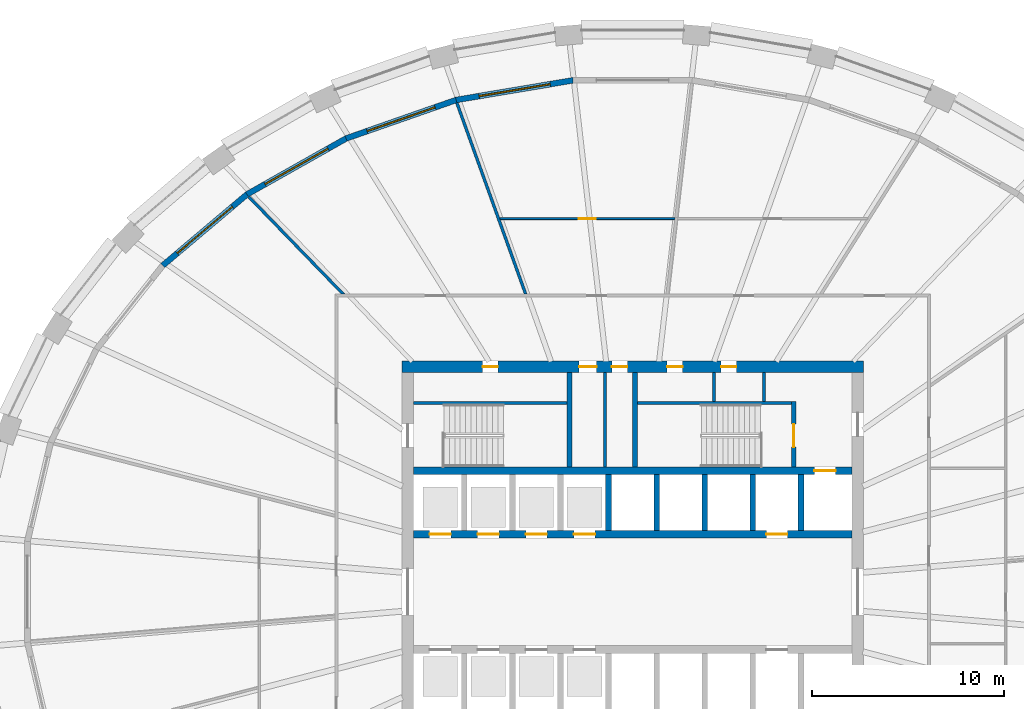
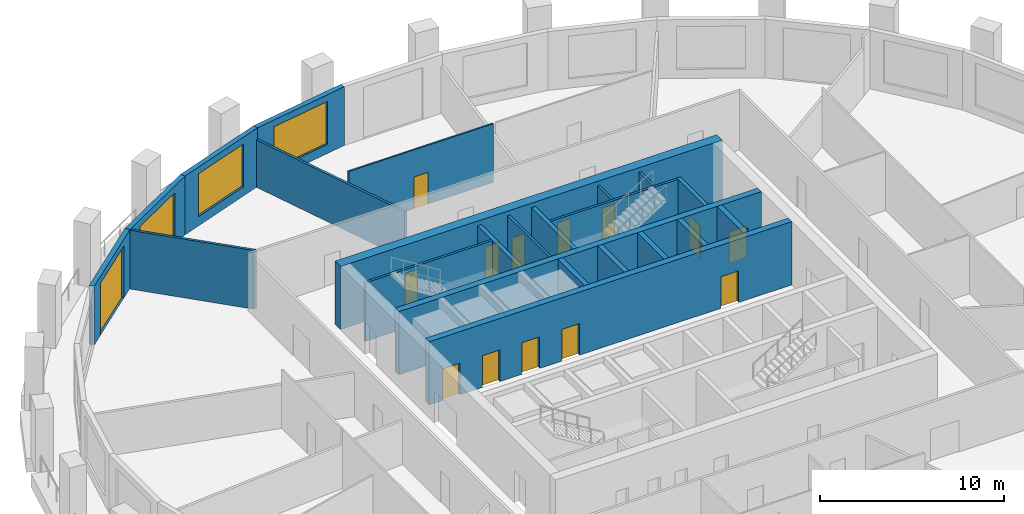
# One storey, part 6 of 11: 23 walls, 14 doors, 3 windows, 17 openings.
"""IFC4 building model written with IfcOpenShell, lengths in metres."""

from ifc_helpers import new_model, si_unit, direction, frame, frame_2d, origin, place, context, subcontext, project, spatial, polyline, rectangle, outline, extrude, material, layer, layer_set, type_object, element, fill, save


model = new_model("IFC4")

# Units and contexts
model_context = context("Model", 3, precision=1e-05, world=origin(), true_north=direction((0.0, 1.0)))
body_context = subcontext(model_context, "Body", "Model", "MODEL_VIEW")
ifc_project = project(units=[si_unit("LENGTHUNIT", "METRE"), si_unit("AREAUNIT", "SQUARE_METRE"), si_unit("VOLUMEUNIT", "CUBIC_METRE"), si_unit("PLANEANGLEUNIT", "RADIAN"), si_unit("MASSUNIT", "GRAM", prefix="KILO")], contexts=[model_context])

# Site, building, storey
site_placement = place(None, origin())
site = spatial("IfcSite", under=ifc_project, at=site_placement, CompositionType="ELEMENT")
building_placement = place(site_placement, origin())
building = spatial("IfcBuilding", under=site, at=building_placement, Name="Halqa Exchange Tower", CompositionType="ELEMENT")
storey_placement = place(building_placement, frame((0.0, 0.0, 150.699951171875)))
storey = spatial("IfcBuildingStorey", under=building, at=storey_placement, Name="L34", CompositionType="ELEMENT", Elevation=150.699951171875)

# Walls
ifc_material_1 = material(Name="Fire-rated gypsum board")
ifc_layer_1 = layer(ifc_material_1, 0.14990234375)
ifc_layer_set_1 = layer_set([ifc_layer_1], Name="Fire-rated gypsum board")
wall_type_1 = type_object("IfcWallType", Name="Fire partition EI 60 150", PredefinedType="PARTITIONING", material=ifc_layer_set_1)
wall_1_placement = place(storey_placement, frame((-14.9921875, 15.423095703125, 0.0), z_axis=(0.0, 0.0, 1.0), x_axis=(-0.696328171708, 0.717723538199, 0.0)))
element("IfcWall", 1, at=wall_1_placement, inside=storey, type_object=wall_type_1, Name="L34-PWL-010", PredefinedType="PARTITIONING", context=body_context, shape_type="SweptSolid", body=[
    extrude(outline(polyline([(7.10888671875, 0.074951171875), (5.367919921875, 0.074951171875), (3.626953125, 0.074951171875), (1.885986328125, 0.074951171875), (0.14501953125, 0.074951171875), (0.0, -0.074462890625), (0.0, -0.074951171875), (1.77734375, -0.074951171875), (3.554443359375, -0.074951171875), (5.33154296875, -0.074951171875), (7.10888671875, -0.074951171875), (7.10888671875, 0.074951171875)])), origin(), (0.0, 0.0, 1.0), 3.900146484375),
])
wall_2_placement = place(storey_placement, frame((-9.136962890625, 25.423583984375, 0.0), z_axis=(0.0, 0.0, 1.0), x_axis=(0.338602834386, -0.940929391902, 0.0)))
element("IfcWall", 2, at=wall_2_placement, inside=storey, type_object=wall_type_1, Name="L34-PWL-013", PredefinedType="PARTITIONING", context=body_context, shape_type="SweptSolid", body=[
    extrude(outline(polyline([(0.0, -0.074951171875), (1.7578125, -0.074951171875), (3.515380859375, -0.074951171875), (5.273193359375, -0.074951171875), (7.03076171875, -0.074951171875), (8.78857421875, -0.074951171875), (10.546142578125, -0.074951171875), (10.599853515625, 0.07421875), (10.599853515625, 0.074951171875), (9.227294921875, 0.074951171875), (7.8544921875, 0.074951171875), (6.48193359375, 0.074951171875), (6.4814453125, 0.07421875), (6.4794921875, 0.074951171875), (4.86279296875, 0.074951171875), (3.246337890625, 0.074951171875), (1.6298828125, 0.074951171875), (0.01318359375, 0.074951171875), (0.00048828125, 0.003662109375), (0.0, -0.03857421875), (0.0, -0.074951171875)])), origin(), (0.0, 0.0, 1.0), 3.14697265625),
])

# Wall, opening, door
ifc_material_2 = material(Name="Gypsum board")
ifc_layer_2 = layer(ifc_material_2, 0.10009765625)
ifc_layer_set_2 = layer_set([ifc_layer_2], Name="Gypsum board")
wall_type_2 = type_object("IfcWallType", Name="Partition 100 gypsum", PredefinedType="PARTITIONING", material=ifc_layer_set_2)
wall_3_placement = place(storey_placement, frame((-6.907470703125, 19.39990234375, 0.0), z_axis=(0.0, 0.0, 1.0), x_axis=(1.0, 0.0, 0.0)))
wall_3 = element("IfcWall", 3, at=wall_3_placement, inside=storey, type_object=wall_type_2, Name="L34-PWL-014", PredefinedType="PARTITIONING", context=body_context, shape_type="SweptSolid", body=[
    extrude(outline(polyline([(0.035888671875, -0.050048828125), (1.847900390625, -0.050048828125), (3.659912109375, -0.050048828125), (5.471923828125, -0.050048828125), (7.283935546875, -0.050048828125), (9.095947265625, -0.050048828125), (9.107421875, 0.047119140625), (9.107421875, 0.050048828125), (7.285888671875, 0.050048828125), (5.46435546875, 0.050048828125), (3.64306640625, 0.050048828125), (1.821533203125, 0.050048828125), (0.0, 0.050048828125), (0.0, 0.04931640625), (0.035888671875, -0.050048828125)])), origin(), (0.0, 0.0, 1.0), 3.900146484375),
])
opening_1_placement = place(wall_3_placement, frame((4.1025390625, 0.0, 0.0)))
opening_1 = element("IfcOpeningElement", 4, at=opening_1_placement, cuts=wall_3, Name="Opening 10-19", PredefinedType="OPENING", context=body_context, shape_type="SweptSolid", body=[
    extrude(rectangle(XDim=0.89990234375, YDim=2.10009765625, at=frame_2d((0.449951171875, 1.050048828125))), frame((0.0, 0.06201171875, 0.0), z_axis=(0.0, -1.0, 0.0), x_axis=(1.0, 0.0, 0.0)), (0.0, 0.0, 1.0), 0.1240234375),
])
ifc_material_3 = material(Name="Timber door leaf", Category="wood")
door_type_1 = type_object("IfcDoorType", Name="Door 900 x 2100", OperationType="SINGLE_SWING_LEFT", PredefinedType="DOOR", material=ifc_material_3)
door_1_placement = place(opening_1_placement, frame((0.89990234375, 0.0, 0.0), z_axis=(0.0, 0.0, 1.0), x_axis=(-1.0, 0.0, 0.0)))
door_1 = element("IfcDoor", 5, at=door_1_placement, inside=storey, type_object=door_type_1, Name="L34-IDR-019", OperationType="SINGLE_SWING_RIGHT", OverallHeight=2.10009765625, OverallWidth=0.89990234375, PredefinedType="DOOR", context=body_context, shape_type="SweptSolid", body=[
    extrude(rectangle(XDim=0.89990234375, YDim=2.10009765625, at=frame_2d((0.449951171875, 1.050048828125))), frame((0.0, 0.02490234375, 0.0), z_axis=(0.0, -1.0, 0.0), x_axis=(1.0, 0.0, 0.0)), (0.0, 0.0, 1.0), 0.050048828125),
])
fill(opening_1, door_1)

# Walls
ifc_layer_3 = layer(ifc_material_2, 0.14990234375)
ifc_layer_set_3 = layer_set([ifc_layer_3], Name="Gypsum board")
wall_type_3 = type_object("IfcWallType", Name="Penthouse riser wall 150 gypsum", PredefinedType="PARTITIONING", material=ifc_layer_set_3)
wall_4_placement = place(storey_placement, frame((-1.425048828125, 6.5, 0.0), z_axis=(0.0, 0.0, 1.0), x_axis=(0.0, 1.0, 0.0)))
element("IfcWall", 6, at=wall_4_placement, inside=storey, type_object=wall_type_3, Name="Partition W1.425 N", PredefinedType="PARTITIONING", context=body_context, shape_type="SweptSolid", body=[
    extrude(rectangle(XDim=4.89990234375, YDim=0.14990234375, at=frame_2d((2.449951171875, 0.0))), origin(), (0.0, 0.0, 1.0), 3.900146484375),
])
for number, where, z_axis, x_axis, name in (
    (7, (4.22509765625, 9.89990234375, 0.0), (0.0, 0.0, 1.0), (0.0, 1.0, 0.0), "Partition E4.225 N"),
    (8, (6.824951171875, 9.89990234375, 0.0), (0.0, 0.0, 1.0), (0.0, 1.0, 0.0), "Firefighting lobby west wall N"),
):
    element("IfcWall", number, at=place(storey_placement, frame(where, z_axis=z_axis, x_axis=x_axis)), inside=storey, type_object=wall_type_3, Name=name, PredefinedType="PARTITIONING", context=body_context, shape_type="SweptSolid", body=[
        extrude(rectangle(XDim=1.5, YDim=0.14990234375, at=frame_2d((0.75, 0.0))), origin(), (0.0, 0.0, 1.0), 3.900146484375),
    ])
ifc_material_4 = material(Name="Concrete C60/75", Category="concrete")
ifc_layer_4 = layer(ifc_material_4, 0.300048828125)
ifc_layer_set_4 = layer_set([ifc_layer_4], Name="Concrete C60/75")
wall_type_4 = type_object("IfcWallType", Name="RC core wall 300", PredefinedType="SHEAR", material=ifc_layer_set_4)
for number, where, z_axis, x_axis, name in (
    (9, (-1.25, 3.199951171875, 0.0), (0.0, 0.0, 1.0), (0.0, 1.0, 0.0), "Shaft divider N4"),
    (10, (1.25, 3.199951171875, 0.0), (0.0, 0.0, 1.0), (0.0, 1.0, 0.0), "Shaft divider N5"),
    (11, (3.75, 3.199951171875, 0.0), (0.0, 0.0, 1.0), (0.0, 1.0, 0.0), "Shaft divider N6"),
    (12, (6.25, 3.199951171875, 0.0), (0.0, 0.0, 1.0), (0.0, 1.0, 0.0), "Shaft divider N7"),
    (13, (8.75, 3.199951171875, 0.0), (0.0, 0.0, 1.0), (0.0, 1.0, 0.0), "Shaft divider N8"),
):
    element("IfcWall", number, at=place(storey_placement, frame(where, z_axis=z_axis, x_axis=x_axis)), inside=storey, type_object=wall_type_4, Name=name, PredefinedType="SHEAR", context=body_context, shape_type="SweptSolid", body=[
        extrude(rectangle(XDim=2.900146484375, YDim=0.300048828125, at=frame_2d((1.4501953125, 0.0))), origin(), (0.0, 0.0, 1.0), 4.199951171875),
    ])

# Wall, openings, doors
ifc_material_5 = material(Name="Concrete C70/85", Category="concrete")
ifc_layer_5 = layer(ifc_material_5, 0.39990234375)
ifc_layer_set_5 = layer_set([ifc_layer_5], Name="Concrete C70/85")
wall_type_5 = type_object("IfcWallType", Name="RC core wall 400 C70/85", PredefinedType="SHEAR", material=ifc_layer_set_5)
wall_5_placement = place(storey_placement, frame((-11.39990234375, 3.0, 0.0), z_axis=(0.0, 0.0, 1.0), x_axis=(1.0, 0.0, 0.0)))
wall_5 = element("IfcWall", 14, at=wall_5_placement, inside=storey, type_object=wall_type_5, Name="Lift row front wall N", PredefinedType="SHEAR", context=body_context, shape_type="SweptSolid", body=[
    extrude(rectangle(XDim=22.7998046875, YDim=0.39990234375, at=frame_2d((11.39990234375, 0.0))), origin(), (0.0, 0.0, 1.0), 4.199951171875),
])
opening_2_placement = place(wall_5_placement, frame((0.85009765625, 0.0, 0.0)))
opening_2 = element("IfcOpeningElement", 15, at=opening_2_placement, cuts=wall_5, Name="Opening LD-LR1-T10", PredefinedType="OPENING", context=body_context, shape_type="SweptSolid", body=[
    extrude(rectangle(XDim=1.10009765625, YDim=2.10009765625, at=frame_2d((0.550048828125, 1.050048828125))), frame((0.0, 0.2119140625, 0.0), z_axis=(0.0, -1.0, 0.0), x_axis=(1.0, 0.0, 0.0)), (0.0, 0.0, 1.0), 0.423828125),
])
opening_3_placement = place(wall_5_placement, frame((3.35009765625, 0.0, 0.0)))
opening_3 = element("IfcOpeningElement", 16, at=opening_3_placement, cuts=wall_5, Name="Opening LD-LR2-T10", PredefinedType="OPENING", context=body_context, shape_type="SweptSolid", body=[
    extrude(rectangle(XDim=1.10009765625, YDim=2.10009765625, at=frame_2d((0.550048828125, 1.050048828125))), frame((0.0, 0.2119140625, 0.0), z_axis=(0.0, -1.0, 0.0), x_axis=(1.0, 0.0, 0.0)), (0.0, 0.0, 1.0), 0.423828125),
])
opening_4_placement = place(wall_5_placement, frame((5.85009765625, 0.0, 0.0)))
opening_4 = element("IfcOpeningElement", 17, at=opening_4_placement, cuts=wall_5, Name="Opening LD-LR3-T10", PredefinedType="OPENING", context=body_context, shape_type="SweptSolid", body=[
    extrude(rectangle(XDim=1.10009765625, YDim=2.10009765625, at=frame_2d((0.550048828125, 1.050048828125))), frame((0.0, 0.2119140625, 0.0), z_axis=(0.0, -1.0, 0.0), x_axis=(1.0, 0.0, 0.0)), (0.0, 0.0, 1.0), 0.423828125),
])
opening_5_placement = place(wall_5_placement, frame((8.35009765625, 0.0, 0.0)))
opening_5 = element("IfcOpeningElement", 18, at=opening_5_placement, cuts=wall_5, Name="Opening LD-LR4-T10", PredefinedType="OPENING", context=body_context, shape_type="SweptSolid", body=[
    extrude(rectangle(XDim=1.10009765625, YDim=2.10009765625, at=frame_2d((0.550048828125, 1.050048828125))), frame((0.0, 0.2119140625, 0.0), z_axis=(0.0, -1.0, 0.0), x_axis=(1.0, 0.0, 0.0)), (0.0, 0.0, 1.0), 0.423828125),
])
opening_6_placement = place(wall_5_placement, frame((18.35009765625, 0.0, 0.0)))
opening_6 = element("IfcOpeningElement", 19, at=opening_6_placement, cuts=wall_5, Name="Opening LD-SV1-T10", PredefinedType="OPENING", context=body_context, shape_type="SweptSolid", body=[
    extrude(rectangle(XDim=1.10009765625, YDim=2.10009765625, at=frame_2d((0.550048828125, 1.050048828125))), frame((0.0, 0.2119140625, 0.0), z_axis=(0.0, -1.0, 0.0), x_axis=(1.0, 0.0, 0.0)), (0.0, 0.0, 1.0), 0.423828125),
])
ifc_material_6 = material(Name="Stainless steel", Category="steel")
door_type_2 = type_object("IfcDoorType", Name="Lift landing door 1100 x 2100", OperationType="SLIDING_TO_LEFT", PredefinedType="DOOR", material=ifc_material_6)
door_2_placement = place(opening_2_placement, origin())
door_2 = element("IfcDoor", 20, at=door_2_placement, inside=storey, type_object=door_type_2, Name="Lift landing door LR1", OperationType="SLIDING_TO_LEFT", OverallHeight=2.10009765625, OverallWidth=1.10009765625, PredefinedType="DOOR", context=body_context, shape_type="SweptSolid", body=[
    extrude(rectangle(XDim=1.10009765625, YDim=2.10009765625, at=frame_2d((0.550048828125, 1.050048828125))), frame((0.0, 0.02490234375, 0.0), z_axis=(0.0, -1.0, 0.0), x_axis=(1.0, 0.0, 0.0)), (0.0, 0.0, 1.0), 0.050048828125),
])
fill(opening_2, door_2)
door_3_placement = place(opening_3_placement, origin())
door_3 = element("IfcDoor", 21, at=door_3_placement, inside=storey, type_object=door_type_2, Name="Lift landing door LR2", OperationType="SLIDING_TO_LEFT", OverallHeight=2.10009765625, OverallWidth=1.10009765625, PredefinedType="DOOR", context=body_context, shape_type="SweptSolid", body=[
    extrude(rectangle(XDim=1.10009765625, YDim=2.10009765625, at=frame_2d((0.550048828125, 1.050048828125))), frame((0.0, 0.02490234375, 0.0), z_axis=(0.0, -1.0, 0.0), x_axis=(1.0, 0.0, 0.0)), (0.0, 0.0, 1.0), 0.050048828125),
])
fill(opening_3, door_3)
door_4_placement = place(opening_4_placement, origin())
door_4 = element("IfcDoor", 22, at=door_4_placement, inside=storey, type_object=door_type_2, Name="Lift landing door LR3", OperationType="SLIDING_TO_LEFT", OverallHeight=2.10009765625, OverallWidth=1.10009765625, PredefinedType="DOOR", context=body_context, shape_type="SweptSolid", body=[
    extrude(rectangle(XDim=1.10009765625, YDim=2.10009765625, at=frame_2d((0.550048828125, 1.050048828125))), frame((0.0, 0.02490234375, 0.0), z_axis=(0.0, -1.0, 0.0), x_axis=(1.0, 0.0, 0.0)), (0.0, 0.0, 1.0), 0.050048828125),
])
fill(opening_4, door_4)
door_5_placement = place(opening_5_placement, origin())
door_5 = element("IfcDoor", 23, at=door_5_placement, inside=storey, type_object=door_type_2, Name="Lift landing door LR4", OperationType="SLIDING_TO_LEFT", OverallHeight=2.10009765625, OverallWidth=1.10009765625, PredefinedType="DOOR", context=body_context, shape_type="SweptSolid", body=[
    extrude(rectangle(XDim=1.10009765625, YDim=2.10009765625, at=frame_2d((0.550048828125, 1.050048828125))), frame((0.0, 0.02490234375, 0.0), z_axis=(0.0, -1.0, 0.0), x_axis=(1.0, 0.0, 0.0)), (0.0, 0.0, 1.0), 0.050048828125),
])
fill(opening_5, door_5)
door_6_placement = place(opening_6_placement, origin())
door_6 = element("IfcDoor", 24, at=door_6_placement, inside=storey, type_object=door_type_2, Name="Lift landing door SV1", OperationType="SLIDING_TO_LEFT", OverallHeight=2.10009765625, OverallWidth=1.10009765625, PredefinedType="DOOR", context=body_context, shape_type="SweptSolid", body=[
    extrude(rectangle(XDim=1.10009765625, YDim=2.10009765625, at=frame_2d((0.550048828125, 1.050048828125))), frame((0.0, 0.02490234375, 0.0), z_axis=(0.0, -1.0, 0.0), x_axis=(1.0, 0.0, 0.0)), (0.0, 0.0, 1.0), 0.050048828125),
])
fill(opening_6, door_6)

# Wall, opening, door
wall_6_placement = place(storey_placement, frame((-11.39990234375, 6.300048828125, 0.0), z_axis=(0.0, 0.0, 1.0), x_axis=(1.0, 0.0, 0.0)))
wall_6 = element("IfcWall", 25, at=wall_6_placement, inside=storey, type_object=wall_type_5, Name="Lift row back wall N", PredefinedType="SHEAR", context=body_context, shape_type="SweptSolid", body=[
    extrude(rectangle(XDim=22.7998046875, YDim=0.39990234375, at=frame_2d((11.39990234375, 0.0))), origin(), (0.0, 0.0, 1.0), 4.199951171875),
])
opening_7_placement = place(wall_6_placement, frame((20.85009765625, 0.0, 0.0)))
opening_7 = element("IfcOpeningElement", 26, at=opening_7_placement, cuts=wall_6, Name="Opening LD-FF1-T10", PredefinedType="OPENING", context=body_context, shape_type="SweptSolid", body=[
    extrude(rectangle(XDim=1.10009765625, YDim=2.10009765625, at=frame_2d((0.550048828125, 1.050048828125))), frame((0.0, 0.2119140625, 0.0), z_axis=(0.0, -1.0, 0.0), x_axis=(1.0, 0.0, 0.0)), (0.0, 0.0, 1.0), 0.423828125),
])
door_7_placement = place(opening_7_placement, origin())
door_7 = element("IfcDoor", 27, at=door_7_placement, inside=storey, type_object=door_type_2, Name="Lift landing door FF1", OperationType="SLIDING_TO_LEFT", OverallHeight=2.10009765625, OverallWidth=1.10009765625, PredefinedType="DOOR", context=body_context, shape_type="SweptSolid", body=[
    extrude(rectangle(XDim=1.10009765625, YDim=2.10009765625, at=frame_2d((0.550048828125, 1.050048828125))), frame((0.0, 0.02490234375, 0.0), z_axis=(0.0, -1.0, 0.0), x_axis=(1.0, 0.0, 0.0)), (0.0, 0.0, 1.0), 0.050048828125),
])
fill(opening_7, door_7)

# Wall, openings, doors
ifc_layer_6 = layer(ifc_material_5, 0.60009765625)
ifc_layer_set_6 = layer_set([ifc_layer_6], Name="Concrete C70/85")
wall_type_6 = type_object("IfcWallType", Name="RC core wall 600 C70/85", PredefinedType="SHEAR", material=ifc_layer_set_6)
wall_7_placement = place(storey_placement, frame((-12.0, 11.699951171875, 0.0), z_axis=(0.0, 0.0, 1.0), x_axis=(1.0, 0.0, 0.0)))
wall_7 = element("IfcWall", 28, at=wall_7_placement, inside=storey, type_object=wall_type_6, Name="Core wall north", PredefinedType="SHEAR", context=body_context, shape_type="SweptSolid", body=[
    extrude(rectangle(XDim=24.0, YDim=0.60009765625, at=frame_2d((12.0, 0.0))), origin(), (0.0, 0.0, 1.0), 4.199951171875),
])
opening_8_placement = place(wall_7_placement, frame((9.22509765625, 0.0, 0.0)))
opening_8 = element("IfcOpeningElement", 29, at=opening_8_placement, cuts=wall_7, Name="Opening T10-C21", PredefinedType="OPENING", context=body_context, shape_type="SweptSolid", body=[
    extrude(rectangle(XDim=0.89990234375, YDim=2.10009765625, at=frame_2d((0.449951171875, 1.050048828125))), frame((0.0, 0.31201171875, 0.0), z_axis=(0.0, -1.0, 0.0), x_axis=(1.0, 0.0, 0.0)), (0.0, 0.0, 1.0), 0.6240234375),
])
opening_9_placement = place(wall_7_placement, frame((10.925048828125, 0.0, 0.0)))
opening_9 = element("IfcOpeningElement", 30, at=opening_9_placement, cuts=wall_7, Name="Opening T10-C22", PredefinedType="OPENING", context=body_context, shape_type="SweptSolid", body=[
    extrude(rectangle(XDim=0.800048828125, YDim=2.10009765625, at=frame_2d((0.39990234375, 1.050048828125))), frame((0.0, 0.31201171875, 0.0), z_axis=(0.0, -1.0, 0.0), x_axis=(1.0, 0.0, 0.0)), (0.0, 0.0, 1.0), 0.6240234375),
])
opening_10_placement = place(wall_7_placement, frame((4.199951171875, 0.0, 0.0)))
opening_10 = element("IfcOpeningElement", 31, at=opening_10_placement, cuts=wall_7, Name="Opening T10-C23", PredefinedType="OPENING", context=body_context, shape_type="SweptSolid", body=[
    extrude(rectangle(XDim=0.800048828125, YDim=2.10009765625, at=frame_2d((0.39990234375, 1.050048828125))), frame((0.0, 0.31201171875, 0.0), z_axis=(0.0, -1.0, 0.0), x_axis=(1.0, 0.0, 0.0)), (0.0, 0.0, 1.0), 0.6240234375),
])
opening_11_placement = place(wall_7_placement, frame((13.800048828125, 0.0, 0.0)))
opening_11 = element("IfcOpeningElement", 32, at=opening_11_placement, cuts=wall_7, Name="Opening T10-C24", PredefinedType="OPENING", context=body_context, shape_type="SweptSolid", body=[
    extrude(rectangle(XDim=0.800048828125, YDim=2.10009765625, at=frame_2d((0.39990234375, 1.050048828125))), frame((0.0, 0.31201171875, 0.0), z_axis=(0.0, -1.0, 0.0), x_axis=(1.0, 0.0, 0.0)), (0.0, 0.0, 1.0), 0.6240234375),
])
opening_12_placement = place(wall_7_placement, frame((16.60009765625, 0.0, 0.0)))
opening_12 = element("IfcOpeningElement", 33, at=opening_12_placement, cuts=wall_7, Name="Opening T10-C25", PredefinedType="OPENING", context=body_context, shape_type="SweptSolid", body=[
    extrude(rectangle(XDim=0.800048828125, YDim=2.10009765625, at=frame_2d((0.39990234375, 1.050048828125))), frame((0.0, 0.31201171875, 0.0), z_axis=(0.0, -1.0, 0.0), x_axis=(1.0, 0.0, 0.0)), (0.0, 0.0, 1.0), 0.6240234375),
])
ifc_material_7 = material(Name="Timber fire door leaf", Category="wood")
door_type_3 = type_object("IfcDoorType", Name="Core room door FD30 900 x 2100", OperationType="SINGLE_SWING_LEFT", PredefinedType="DOOR", material=ifc_material_7)
door_8_placement = place(opening_8_placement, frame((0.89990234375, 0.0, 0.0), z_axis=(0.0, 0.0, 1.0), x_axis=(-1.0, 0.0, 0.0)))
door_8 = element("IfcDoor", 34, at=door_8_placement, inside=storey, type_object=door_type_3, Name="Core room door", OperationType="SINGLE_SWING_RIGHT", OverallHeight=2.10009765625, OverallWidth=0.89990234375, PredefinedType="DOOR", context=body_context, shape_type="SweptSolid", body=[
    extrude(rectangle(XDim=0.89990234375, YDim=2.10009765625, at=frame_2d((0.449951171875, 1.050048828125))), frame((0.0, 0.02490234375, 0.0), z_axis=(0.0, -1.0, 0.0), x_axis=(1.0, 0.0, 0.0)), (0.0, 0.0, 1.0), 0.050048828125),
])
fill(opening_8, door_8)
ifc_material_8 = material(Name="Steel fire door leaf", Category="steel")
door_type_4 = type_object("IfcDoorType", Name="Riser door FD60 800 x 2100", OperationType="SINGLE_SWING_LEFT", PredefinedType="DOOR", material=ifc_material_8)
door_9_placement = place(opening_9_placement, frame((0.800048828125, 0.0, 0.0), z_axis=(0.0, 0.0, 1.0), x_axis=(-1.0, 0.0, 0.0)))
door_9 = element("IfcDoor", 35, at=door_9_placement, inside=storey, type_object=door_type_4, Name="Core room door", OperationType="SINGLE_SWING_RIGHT", OverallHeight=2.10009765625, OverallWidth=0.800048828125, PredefinedType="DOOR", context=body_context, shape_type="SweptSolid", body=[
    extrude(rectangle(XDim=0.800048828125, YDim=2.10009765625, at=frame_2d((0.39990234375, 1.050048828125))), frame((0.0, 0.02490234375, 0.0), z_axis=(0.0, -1.0, 0.0), x_axis=(1.0, 0.0, 0.0)), (0.0, 0.0, 1.0), 0.050048828125),
])
fill(opening_9, door_9)
door_10_placement = place(opening_10_placement, frame((0.800048828125, 0.0, 0.0), z_axis=(0.0, 0.0, 1.0), x_axis=(-1.0, 0.0, 0.0)))
door_10 = element("IfcDoor", 36, at=door_10_placement, inside=storey, type_object=door_type_4, Name="Core room door", OperationType="SINGLE_SWING_RIGHT", OverallHeight=2.10009765625, OverallWidth=0.800048828125, PredefinedType="DOOR", context=body_context, shape_type="SweptSolid", body=[
    extrude(rectangle(XDim=0.800048828125, YDim=2.10009765625, at=frame_2d((0.39990234375, 1.050048828125))), frame((0.0, 0.02490234375, 0.0), z_axis=(0.0, -1.0, 0.0), x_axis=(1.0, 0.0, 0.0)), (0.0, 0.0, 1.0), 0.050048828125),
])
fill(opening_10, door_10)
door_11_placement = place(opening_11_placement, frame((0.800048828125, 0.0, 0.0), z_axis=(0.0, 0.0, 1.0), x_axis=(-1.0, 0.0, 0.0)))
door_11 = element("IfcDoor", 37, at=door_11_placement, inside=storey, type_object=door_type_4, Name="Core room door", OperationType="SINGLE_SWING_LEFT", OverallHeight=2.10009765625, OverallWidth=0.800048828125, PredefinedType="DOOR", context=body_context, shape_type="SweptSolid", body=[
    extrude(rectangle(XDim=0.800048828125, YDim=2.10009765625, at=frame_2d((0.39990234375, 1.050048828125))), frame((0.0, 0.02490234375, 0.0), z_axis=(0.0, -1.0, 0.0), x_axis=(1.0, 0.0, 0.0)), (0.0, 0.0, 1.0), 0.050048828125),
])
fill(opening_11, door_11)
door_12_placement = place(opening_12_placement, frame((0.800048828125, 0.0, 0.0), z_axis=(0.0, 0.0, 1.0), x_axis=(-1.0, 0.0, 0.0)))
door_12 = element("IfcDoor", 38, at=door_12_placement, inside=storey, type_object=door_type_4, Name="Core room door", OperationType="SINGLE_SWING_LEFT", OverallHeight=2.10009765625, OverallWidth=0.800048828125, PredefinedType="DOOR", context=body_context, shape_type="SweptSolid", body=[
    extrude(rectangle(XDim=0.800048828125, YDim=2.10009765625, at=frame_2d((0.39990234375, 1.050048828125))), frame((0.0, 0.02490234375, 0.0), z_axis=(0.0, -1.0, 0.0), x_axis=(1.0, 0.0, 0.0)), (0.0, 0.0, 1.0), 0.050048828125),
])
fill(opening_12, door_12)

# Walls
ifc_material_9 = material(Name="Concrete C30/37", Category="concrete")
ifc_layer_7 = layer(ifc_material_9, 0.14990234375)
ifc_layer_set_7 = layer_set([ifc_layer_7], Name="Concrete C30/37")
wall_type_7 = type_object("IfcWallType", Name="RC stair wall 150 C30/37", PredefinedType="SHEAR", material=ifc_layer_set_7)
for number, where, z_axis, x_axis, name in (
    (39, (-11.39990234375, 9.824951171875, 0.0), (0.0, 0.0, 1.0), (1.0, 0.0, 0.0), "Stair ST1 north wall N"),
    (40, (0.25, 9.824951171875, 0.0), (0.0, 0.0, 1.0), (1.0, 0.0, 0.0), "Stair ST2 north wall N"),
):
    element("IfcWall", number, at=place(storey_placement, frame(where, z_axis=z_axis, x_axis=x_axis)), inside=storey, type_object=wall_type_7, Name=name, PredefinedType="SHEAR", context=body_context, shape_type="SweptSolid", body=[
        extrude(rectangle(XDim=8.0, YDim=0.14990234375, at=frame_2d((4.0, 0.0))), origin(), (0.0, 0.0, 1.0), 3.900146484375),
    ])
ifc_layer_8 = layer(ifc_material_9, 0.25)
ifc_layer_set_8 = layer_set([ifc_layer_8], Name="Concrete C30/37")
wall_type_8 = type_object("IfcWallType", Name="RC stair wall 250 C30/37", PredefinedType="SHEAR", material=ifc_layer_set_8)
for number, where, z_axis, x_axis, name in (
    (41, (-3.27490234375, 6.5, 0.0), (0.0, 0.0, 1.0), (0.0, 1.0, 0.0), "Stair ST1 east wall N"),
    (42, (0.125, 6.5, 0.0), (0.0, 0.0, 1.0), (0.0, 1.0, 0.0), "Stair ST2 west wall N"),
):
    element("IfcWall", number, at=place(storey_placement, frame(where, z_axis=z_axis, x_axis=x_axis)), inside=storey, type_object=wall_type_8, Name=name, PredefinedType="SHEAR", context=body_context, shape_type="SweptSolid", body=[
        extrude(rectangle(XDim=4.89990234375, YDim=0.25, at=frame_2d((2.449951171875, 0.0))), origin(), (0.0, 0.0, 1.0), 3.900146484375),
    ])

# Wall, opening, door
wall_8_placement = place(storey_placement, frame((8.375, 6.5, 0.0), z_axis=(0.0, 0.0, 1.0), x_axis=(0.0, 1.0, 0.0)))
wall_8 = element("IfcWall", 43, at=wall_8_placement, inside=storey, type_object=wall_type_8, Name="Stair ST2 east wall N", PredefinedType="SHEAR", context=body_context, shape_type="SweptSolid", body=[
    extrude(rectangle(XDim=3.39990234375, YDim=0.25, at=frame_2d((1.699951171875, 0.0))), origin(), (0.0, 0.0, 1.0), 3.900146484375),
])
opening_13_placement = place(wall_8_placement, frame((1.02490234375, 0.0, 0.0)))
opening_13 = element("IfcOpeningElement", 44, at=opening_13_placement, cuts=wall_8, Name="Opening T10-C16", PredefinedType="OPENING", context=body_context, shape_type="SweptSolid", body=[
    extrude(rectangle(XDim=1.199951171875, YDim=2.10009765625, at=frame_2d((0.60009765625, 1.050048828125))), frame((0.0, 0.136962890625, 0.0), z_axis=(0.0, -1.0, 0.0), x_axis=(1.0, 0.0, 0.0)), (0.0, 0.0, 1.0), 0.27392578125),
])
door_type_5 = type_object("IfcDoorType", Name="Stair door FD90 1200 x 2100", OperationType="SINGLE_SWING_LEFT", PredefinedType="DOOR", material=ifc_material_8)
door_13_placement = place(opening_13_placement, origin())
door_13 = element("IfcDoor", 45, at=door_13_placement, inside=storey, type_object=door_type_5, Name="Stair door ST2", OperationType="SINGLE_SWING_LEFT", OverallHeight=2.10009765625, OverallWidth=1.199951171875, PredefinedType="DOOR", context=body_context, shape_type="SweptSolid", body=[
    extrude(rectangle(XDim=1.199951171875, YDim=2.10009765625, at=frame_2d((0.60009765625, 1.050048828125))), frame((0.0, 0.02490234375, 0.0), z_axis=(0.0, -1.0, 0.0), x_axis=(1.0, 0.0, 0.0)), (0.0, 0.0, 1.0), 0.050048828125),
])
fill(opening_13, door_13)

# Wall, opening, window
ifc_material_10 = material(Name="Limestone cladding", Category="masonry")
ifc_layer_9 = layer(ifc_material_10, 0.0400390625)
ifc_material_11 = material(Name="Ventilated cavity")
ifc_layer_10 = layer(ifc_material_11, 0.030029296875, ventilated=True)
ifc_material_12 = material(Name="Mineral wool insulation")
ifc_layer_11 = layer(ifc_material_12, 0.10009765625)
ifc_layer_12 = layer(ifc_material_9, 0.10009765625)
ifc_material_13 = material(Name="Internal plaster")
ifc_layer_13 = layer(ifc_material_13, 0.030029296875)
ifc_layer_set_9 = layer_set([ifc_layer_9, ifc_layer_10, ifc_layer_11, ifc_layer_12, ifc_layer_13], Name="Stone-faced insulated wall 300")
wall_type_9 = type_object("IfcWallType", Name="Stone-faced insulated wall 300", PredefinedType="STANDARD", material=ifc_layer_set_9)
wall_9_placement = place(storey_placement, frame((-3.096435546875, 26.590576171875, 0.0), z_axis=(0.0, 0.0, 1.0), x_axis=(-0.986186393203, -0.165639360845, 0.0)))
wall_9 = element("IfcWall", 46, at=wall_9_placement, inside=storey, type_object=wall_type_9, Name="Glass-line wall 9", PredefinedType="STANDARD", context=body_context, shape_type="SweptSolid", body=[
    extrude(outline(polyline([(-0.012451171875, -0.14990234375), (6.17236328125, -0.14990234375), (6.14697265625, 0.14990234375), (0.012451171875, 0.14990234375), (-0.012451171875, -0.14990234375)])), origin(), (0.0, 0.0, 1.0), 3.900146484375),
])
opening_14_placement = place(wall_9_placement, frame((1.20458984375, 0.0, 0.60009765625)))
opening_14 = element("IfcOpeningElement", 47, at=opening_14_placement, cuts=wall_9, Name="Opening W-F2-09", PredefinedType="OPENING", context=body_context, shape_type="SweptSolid", body=[
    extrude(rectangle(XDim=3.75, YDim=2.85009765625, at=frame_2d((1.875, 1.425048828125))), frame((0.0, 0.162109375, 0.0), z_axis=(0.0, -1.0, 0.0), x_axis=(1.0, 0.0, 0.0)), (0.0, 0.0, 1.0), 0.323974609375),
])
ifc_material_14 = material(Name="Clear low-emissivity glass in aluminium frame", Category="aluminium")
window_type = type_object("IfcWindowType", Name="Fixed clear glazed window 3750 x 2850", PartitioningType="TRIPLE_PANEL_VERTICAL", PredefinedType="WINDOW", material=ifc_material_14)
window_1_placement = place(opening_14_placement, origin())
window_1 = element("IfcWindow", 48, at=window_1_placement, inside=storey, type_object=window_type, Name="Window 2", OverallHeight=2.85009765625, OverallWidth=3.75, PartitioningType="TRIPLE_PANEL_VERTICAL", PredefinedType="WINDOW", context=body_context, shape_type="SweptSolid", body=[
    extrude(rectangle(XDim=3.75, YDim=2.85009765625, at=frame_2d((1.875, 1.425048828125))), frame((0.0, 0.030029296875, 0.0), z_axis=(0.0, -1.0, 0.0), x_axis=(1.0, 0.0, 0.0)), (0.0, 0.0, 1.0), 0.06005859375),
])
fill(opening_14, window_1)

wall_10_placement = place(storey_placement, frame((-9.1708984375, 25.5703125, 0.0), z_axis=(0.0, 0.0, 1.0), x_axis=(-0.943925510212, -0.330158494016, 0.0)))
wall_10 = element("IfcWall", 49, at=wall_10_placement, inside=storey, type_object=wall_type_9, Name="Glass-line wall 10", PredefinedType="STANDARD", context=body_context, shape_type="SweptSolid", body=[
    extrude(outline(polyline([(-0.0126953125, -0.14990234375), (6.076416015625, -0.14990234375), (6.049560546875, 0.14990234375), (0.0126953125, 0.14990234375), (-0.0126953125, -0.14990234375)])), origin(), (0.0, 0.0, 1.0), 3.900146484375),
])
opening_15_placement = place(wall_10_placement, frame((1.156494140625, 0.0, 0.60009765625)))
opening_15 = element("IfcOpeningElement", 50, at=opening_15_placement, cuts=wall_10, Name="Opening W-F2-10", PredefinedType="OPENING", context=body_context, shape_type="SweptSolid", body=[
    extrude(rectangle(XDim=3.75, YDim=2.85009765625, at=frame_2d((1.875, 1.425048828125))), frame((0.0, 0.162109375, 0.0), z_axis=(0.0, -1.0, 0.0), x_axis=(1.0, 0.0, 0.0)), (0.0, 0.0, 1.0), 0.323974609375),
])
window_2_placement = place(opening_15_placement, origin())
window_2 = element("IfcWindow", 51, at=window_2_placement, inside=storey, type_object=window_type, Name="Window 2", OverallHeight=2.85009765625, OverallWidth=3.75, PartitioningType="TRIPLE_PANEL_VERTICAL", PredefinedType="WINDOW", context=body_context, shape_type="SweptSolid", body=[
    extrude(rectangle(XDim=3.75, YDim=2.85009765625, at=frame_2d((1.875, 1.425048828125))), frame((0.0, 0.030029296875, 0.0), z_axis=(0.0, -1.0, 0.0), x_axis=(1.0, 0.0, 0.0)), (0.0, 0.0, 1.0), 0.06005859375),
])
fill(opening_15, window_2)

wall_11_placement = place(storey_placement, frame((-14.893798828125, 23.568603515625, 0.0), z_axis=(0.0, 0.0, 1.0), x_axis=(-0.870912346166, -0.491438384028, 0.0)))
wall_11 = element("IfcWall", 52, at=wall_11_placement, inside=storey, type_object=wall_type_9, Name="Glass-line wall 11", PredefinedType="STANDARD", context=body_context, shape_type="SweptSolid", body=[
    extrude(outline(polyline([(-0.013427734375, -0.14990234375), (5.929931640625, -0.14990234375), (5.901611328125, 0.14990234375), (0.013427734375, 0.14990234375), (-0.013427734375, -0.14990234375)])), origin(), (0.0, 0.0, 1.0), 3.900146484375),
])
opening_16_placement = place(wall_11_placement, frame((1.0830078125, 0.0, 0.60009765625)))
opening_16 = element("IfcOpeningElement", 53, at=opening_16_placement, cuts=wall_11, Name="Opening W-F2-11", PredefinedType="OPENING", context=body_context, shape_type="SweptSolid", body=[
    extrude(rectangle(XDim=3.75, YDim=2.85009765625, at=frame_2d((1.875, 1.425048828125))), frame((0.0, 0.162109375, 0.0), z_axis=(0.0, -1.0, 0.0), x_axis=(1.0, 0.0, 0.0)), (0.0, 0.0, 1.0), 0.323974609375),
])
window_3_placement = place(opening_16_placement, origin())
window_3 = element("IfcWindow", 54, at=window_3_placement, inside=storey, type_object=window_type, Name="Window 2", OverallHeight=2.85009765625, OverallWidth=3.75, PartitioningType="TRIPLE_PANEL_VERTICAL", PredefinedType="WINDOW", context=body_context, shape_type="SweptSolid", body=[
    extrude(rectangle(XDim=3.75, YDim=2.85009765625, at=frame_2d((1.875, 1.425048828125))), frame((0.0, 0.030029296875, 0.0), z_axis=(0.0, -1.0, 0.0), x_axis=(1.0, 0.0, 0.0)), (0.0, 0.0, 1.0), 0.06005859375),
])
fill(opening_16, window_3)

# Wall, opening, door
wall_12_placement = place(storey_placement, frame((-20.0458984375, 20.661376953125, 0.0), z_axis=(0.0, 0.0, 1.0), x_axis=(-0.764047627809, -0.64515984255, 0.0)))
wall_12 = element("IfcWall", 55, at=wall_12_placement, inside=storey, type_object=wall_type_9, Name="Glass-line wall 12", PredefinedType="STANDARD", context=body_context, shape_type="SweptSolid", body=[
    extrude(outline(polyline([(-0.01416015625, -0.14990234375), (5.752685546875, -0.14990234375), (5.722412109375, 0.14990234375), (0.01416015625, 0.14990234375), (-0.01416015625, -0.14990234375)])), origin(), (0.0, 0.0, 1.0), 3.900146484375),
])
opening_17_placement = place(wall_12_placement, frame((0.99365234375, 0.0, 0.0)))
opening_17 = element("IfcOpeningElement", 56, at=opening_17_placement, cuts=wall_12, Name="Opening LG-F2-03", PredefinedType="OPENING", context=body_context, shape_type="SweptSolid", body=[
    extrude(rectangle(XDim=3.75, YDim=3.449951171875, at=frame_2d((1.875, 1.72509765625))), frame((0.0, 0.162109375, 0.0), z_axis=(0.0, -1.0, 0.0), x_axis=(1.0, 0.0, 0.0)), (0.0, 0.0, 1.0), 0.323974609375),
])
door_type_6 = type_object("IfcDoorType", Name="Glazed sliding loggia door 3750 x 3450", OperationType="DOUBLE_DOOR_SLIDING", PredefinedType="DOOR", material=ifc_material_14)
door_14_placement = place(opening_17_placement, origin())
door_14 = element("IfcDoor", 57, at=door_14_placement, inside=storey, type_object=door_type_6, Name="Loggia door 3", OperationType="DOUBLE_DOOR_SLIDING", OverallHeight=3.449951171875, OverallWidth=3.75, PredefinedType="DOOR", context=body_context, shape_type="SweptSolid", body=[
    extrude(rectangle(XDim=3.75, YDim=3.449951171875, at=frame_2d((1.875, 1.72509765625))), frame((0.0, 0.02490234375, 0.0), z_axis=(0.0, -1.0, 0.0), x_axis=(1.0, 0.0, 0.0)), (0.0, 0.0, 1.0), 0.050048828125),
])
fill(opening_17, door_14)

save(model, "model.ifc")
